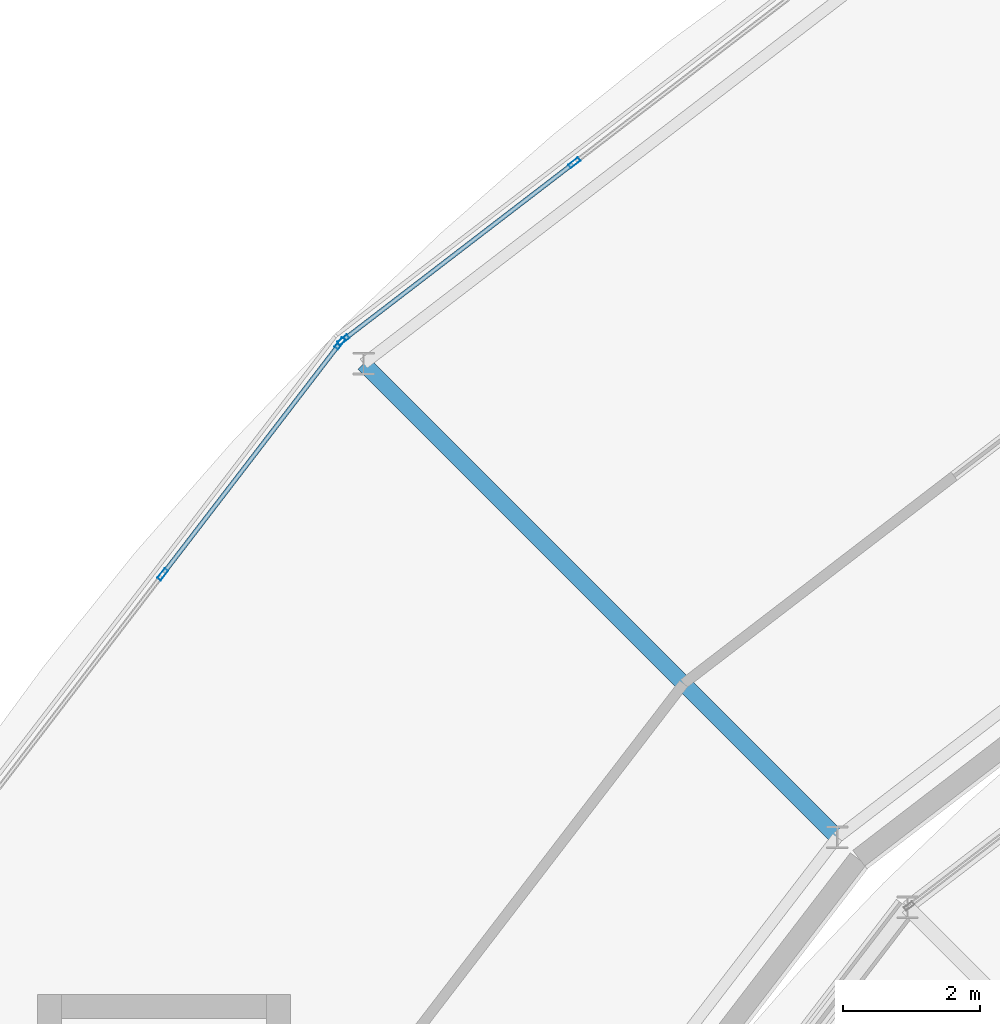
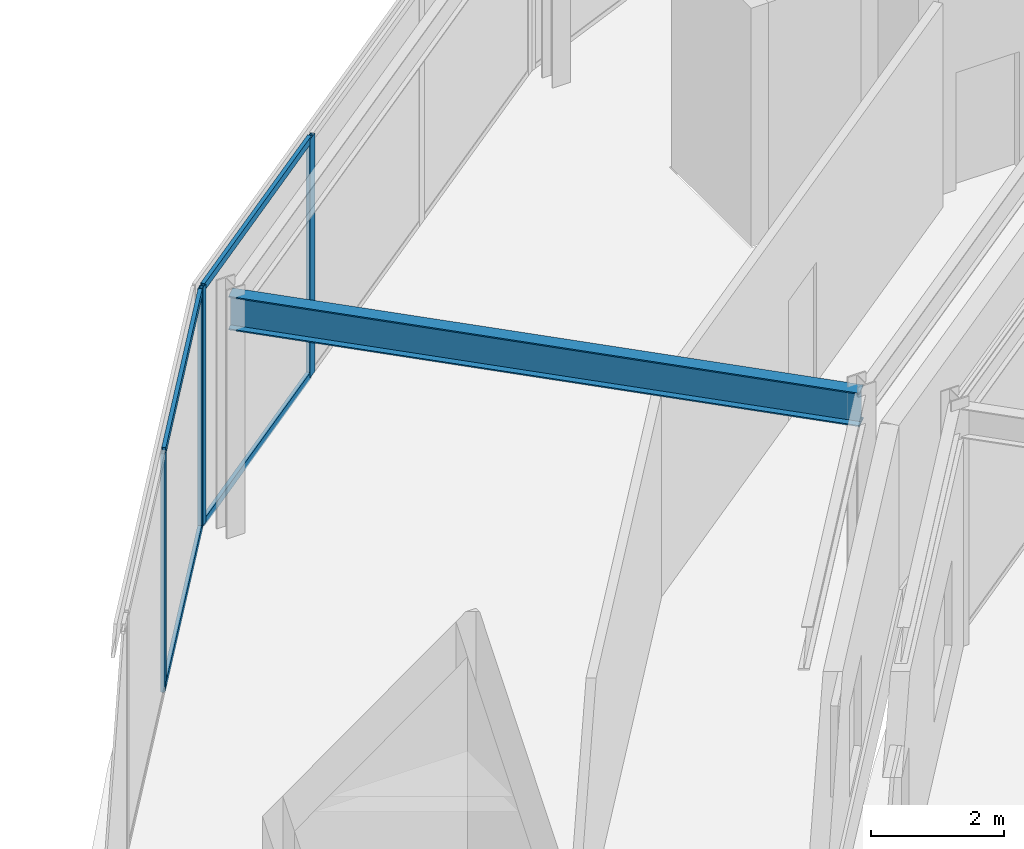
# One storey, part 55 of 133: 8 members, 1 beam, 2 elements without a shape of their own.
"""IFC4 building model written with IfcOpenShell, lengths in metres."""

from ifc_helpers import new_model, si_unit, direction, frame, origin, origin_2d, place, context, subcontext, project, spatial, hollow_rectangle, i_section, extrude, material, material_profile, profile_set, type_object, element, aggregate, save


model = new_model("IFC4")

# Units and contexts
model_context = context("Model", 3, precision=1e-05, world=origin(), true_north=direction((0.0, 1.0)))
body_context = subcontext(model_context, "Body", "Model", "MODEL_VIEW")
ifc_project = project(units=[si_unit("LENGTHUNIT", "METRE"), si_unit("AREAUNIT", "SQUARE_METRE"), si_unit("VOLUMEUNIT", "CUBIC_METRE"), si_unit("PLANEANGLEUNIT", "RADIAN"), si_unit("MASSUNIT", "GRAM", prefix="KILO")], contexts=[model_context])

# Site, building, storey
site_placement = place(None, origin())
site = spatial("IfcSite", under=ifc_project, at=site_placement, CompositionType="ELEMENT")
building_placement = place(site_placement, origin())
building = spatial("IfcBuilding", under=site, at=building_placement, Name="Almandine Court Research Institute", CompositionType="ELEMENT")
storey_placement = place(building_placement, frame((0.0, 0.0, 9.800048828125)))
storey = spatial("IfcBuildingStorey", under=building, at=storey_placement, Name="L02", CompositionType="ELEMENT", Elevation=9.800048828125)

# Beam
ifc_material_1 = material(Name="Steel ASTM A992 Grade 50", Category="steel")
ifc_material_profile_1 = material_profile(ifc_material_1, i_section(OverallWidth=0.22998046875, OverallDepth=0.616943359375, WebThickness=0.012939453125, FlangeThickness=0.02197265625, at=origin_2d()), Name="W610x140")
ifc_profile_set_1 = profile_set([ifc_material_profile_1], Name="Steel ASTM A992 Grade 50")
beam_type = type_object("IfcBeamType", Name="Beam-G-02", PredefinedType="BEAM", material=ifc_profile_set_1)
beam_placement = place(storey_placement, frame((59.35205078125, 83.64794921875, 4.06103515625), z_axis=(-0.707106781187, 0.707106781187, 0.0), x_axis=(-0.707106781187, -0.707106781187, 0.0)))
element("IfcBeam", 1, at=beam_placement, inside=storey, type_object=beam_type, Name="L02 Drum Radial Girder 09", PredefinedType="BEAM", context=body_context, shape_type="SweptSolid", body=[
    extrude(i_section(OverallWidth=0.22998046875, OverallDepth=0.616943359375, WebThickness=0.012939453125, FlangeThickness=0.02197265625, at=origin_2d()), origin(), (0.0, 0.0, 1.0), 9.80029296875),
])

# Curtain wall, members
ifc_material_2 = material(Name="Unitised Curtain Wall Framing and Solar Glazing", Category="glass")
curtain_wall_type = type_object("IfcCurtainWallType", Name="CW-CWJ-19", PredefinedType="USERDEFINED", material=ifc_material_2)
curtain_wall_1_placement = place(storey_placement, origin())
curtain_wall_1 = element("IfcCurtainWall", 2, at=curtain_wall_1_placement, inside=storey, type_object=curtain_wall_type, Name="L02 Stacked-Ring Drum Outer Solar Jali Screen 08", ObjectType="SOLAR JALI SCREEN", PredefinedType="USERDEFINED")
ifc_material_3 = material(Name="Anodised Aluminium AW-6063-T6", Category="aluminium")
ifc_material_profile_2 = material_profile(ifc_material_3, hollow_rectangle(XDim=0.06494140625, YDim=0.179931640625, WallThickness=0.00390625, at=origin_2d()), Name="ALU RHS 65x180x4")
ifc_profile_set_2 = profile_set([ifc_material_profile_2], Name="Anodised Aluminium AW-6063-T6")
member_type_1 = type_object("IfcMemberType", Name="CWMul-65x180", PredefinedType="MULLION", material=ifc_profile_set_2)
member_1_placement = place(storey_placement, frame((52.125732421875, 90.92578125, 0.0), z_axis=(0.0, 0.0, 1.0), x_axis=(-0.608723313303, 0.793382586046, 0.0)))
member_1 = element("IfcMember", 3, at=member_1_placement, type_object=member_type_1, Name="CWJ-19 mullion 1", PredefinedType="MULLION", context=body_context, shape_type="SweptSolid", body=[
    extrude(hollow_rectangle(XDim=0.06494140625, YDim=0.179931640625, WallThickness=0.00390625, at=origin_2d()), origin(), (0.0, 0.0, 1.0), 4.369873046875),
])
member_2_placement = place(storey_placement, frame((55.505615234375, 93.51904296875, 0.0), z_axis=(0.0, 0.0, 1.0), x_axis=(-0.608723313303, 0.793382586046, 0.0)))
member_2 = element("IfcMember", 4, at=member_2_placement, type_object=member_type_1, Name="CWJ-19 mullion 2", PredefinedType="MULLION", context=body_context, shape_type="SweptSolid", body=[
    extrude(hollow_rectangle(XDim=0.06494140625, YDim=0.179931640625, WallThickness=0.00390625, at=origin_2d()), origin(), (0.0, 0.0, 1.0), 4.369873046875),
])

curtain_wall_2_placement = place(storey_placement, origin())
curtain_wall_2 = element("IfcCurtainWall", 5, at=curtain_wall_2_placement, inside=storey, type_object=curtain_wall_type, Name="L02 Stacked-Ring Drum Outer Solar Jali Screen 09", ObjectType="SOLAR JALI SCREEN", PredefinedType="USERDEFINED")
member_3_placement = place(storey_placement, frame((49.48095703125, 87.494384765625, 0.0), z_axis=(0.0, 0.0, 1.0), x_axis=(-0.793382586046, 0.608723313303, 0.0)))
member_3 = element("IfcMember", 6, at=member_3_placement, type_object=member_type_1, Name="CWJ-19 mullion 3", PredefinedType="MULLION", context=body_context, shape_type="SweptSolid", body=[
    extrude(hollow_rectangle(XDim=0.06494140625, YDim=0.179931640625, WallThickness=0.00390625, at=origin_2d()), origin(), (0.0, 0.0, 1.0), 4.369873046875),
])
member_4_placement = place(storey_placement, frame((52.07421875, 90.874267578125, 0.0), z_axis=(0.0, 0.0, 1.0), x_axis=(-0.793382586046, 0.608723313303, 0.0)))
member_4 = element("IfcMember", 7, at=member_4_placement, type_object=member_type_1, Name="CWJ-19 mullion 4", PredefinedType="MULLION", context=body_context, shape_type="SweptSolid", body=[
    extrude(hollow_rectangle(XDim=0.06494140625, YDim=0.179931640625, WallThickness=0.00390625, at=origin_2d()), origin(), (0.0, 0.0, 1.0), 4.369873046875),
])

# Member
ifc_material_profile_3 = material_profile(ifc_material_3, hollow_rectangle(XDim=0.06494140625, YDim=0.1298828125, WallThickness=0.00390625, at=origin_2d()), Name="ALU RHS 65x130x4")
ifc_profile_set_3 = profile_set([ifc_material_profile_3], Name="Anodised Aluminium AW-6063-T6")
member_type_2 = type_object("IfcMemberType", Name="CWTrn-65x130", PredefinedType="NOTDEFINED", material=ifc_profile_set_3)
member_5_placement = place(storey_placement, frame((52.151611328125, 90.945556640625, 0.032470703125), z_axis=(0.793380569658, 0.608725941364, 0.0), x_axis=(-0.608725941364, 0.793380569658, 0.0)))
member_5 = element("IfcMember", 8, at=member_5_placement, type_object=member_type_2, Name="CWJ-19 transom 1.1", ObjectType="TRANSOM", PredefinedType="USERDEFINED", context=body_context, shape_type="SweptSolid", body=[
    extrude(hollow_rectangle(XDim=0.06494140625, YDim=0.1298828125, WallThickness=0.00390625, at=origin_2d()), origin(), (0.0, 0.0, 1.0), 4.195068359375),
])

member_6_placement = place(storey_placement, frame((52.151611328125, 90.945556640625, 4.33740234375), z_axis=(0.793380569658, 0.608725941364, 0.0), x_axis=(-0.608725941364, 0.793380569658, 0.0)))
member_6 = element("IfcMember", 9, at=member_6_placement, type_object=member_type_2, Name="CWJ-19 transom 1.2", ObjectType="TRANSOM", PredefinedType="USERDEFINED", context=body_context, shape_type="SweptSolid", body=[
    extrude(hollow_rectangle(XDim=0.06494140625, YDim=0.1298828125, WallThickness=0.00390625, at=origin_2d()), origin(), (0.0, 0.0, 1.0), 4.195068359375),
])

aggregate(curtain_wall_1, [member_1, member_2, member_5, member_6])

member_7_placement = place(storey_placement, frame((49.500732421875, 87.52001953125, 0.032470703125), z_axis=(0.608725941364, 0.793380569658, 0.0), x_axis=(-0.793380569658, 0.608725941364, 0.0)))
member_7 = element("IfcMember", 10, at=member_7_placement, type_object=member_type_2, Name="CWJ-19 transom 3.1", ObjectType="TRANSOM", PredefinedType="USERDEFINED", context=body_context, shape_type="SweptSolid", body=[
    extrude(hollow_rectangle(XDim=0.06494140625, YDim=0.1298828125, WallThickness=0.00390625, at=origin_2d()), origin(), (0.0, 0.0, 1.0), 4.195068359375),
])

member_8_placement = place(storey_placement, frame((49.500732421875, 87.52001953125, 4.33740234375), z_axis=(0.608725941364, 0.793380569658, 0.0), x_axis=(-0.793380569658, 0.608725941364, 0.0)))
member_8 = element("IfcMember", 11, at=member_8_placement, type_object=member_type_2, Name="CWJ-19 transom 3.2", ObjectType="TRANSOM", PredefinedType="USERDEFINED", context=body_context, shape_type="SweptSolid", body=[
    extrude(hollow_rectangle(XDim=0.06494140625, YDim=0.1298828125, WallThickness=0.00390625, at=origin_2d()), origin(), (0.0, 0.0, 1.0), 4.195068359375),
])

aggregate(curtain_wall_2, [member_3, member_4, member_7, member_8])

save(model, "model.ifc")
